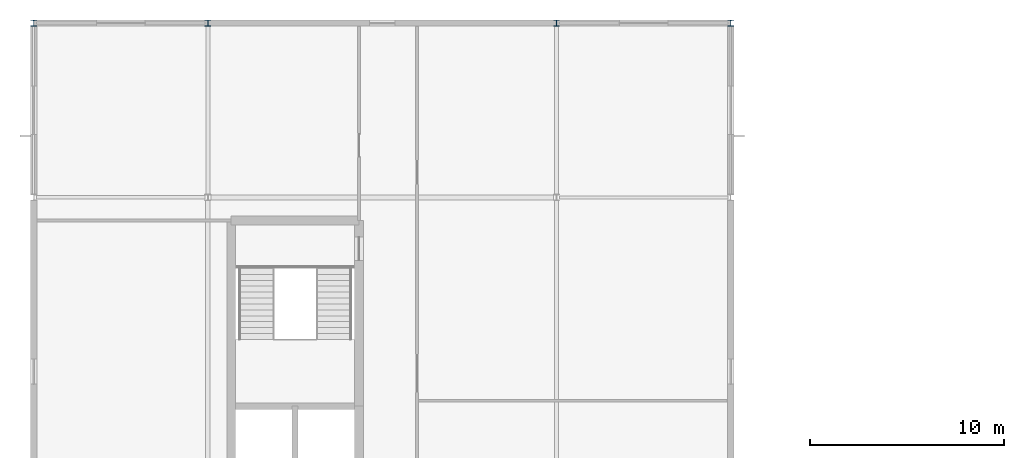
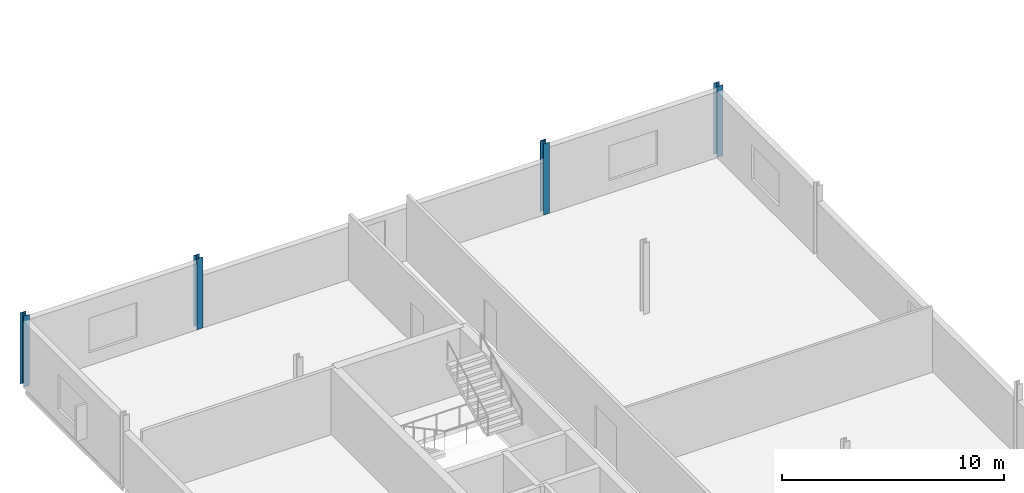
# One storey, part 5 of 31: 4 columns.
"""IFC4 building model written with IfcOpenShell, lengths in metres."""

from ifc_helpers import new_model, si_unit, direction, frame, origin, origin_2d, place, context, subcontext, project, spatial, i_section, extrude, material, material_profile, profile_set, type_object, element, save


model = new_model("IFC4")

# Units and contexts
model_context = context("Model", 3, precision=1e-05, world=origin(), true_north=direction((0.0, 1.0)))
body_context = subcontext(model_context, "Body", "Model", "MODEL_VIEW")
ifc_project = project(units=[si_unit("LENGTHUNIT", "METRE"), si_unit("AREAUNIT", "SQUARE_METRE"), si_unit("VOLUMEUNIT", "CUBIC_METRE"), si_unit("PLANEANGLEUNIT", "RADIAN"), si_unit("MASSUNIT", "GRAM", prefix="KILO")], contexts=[model_context])

# Site, building, storey
site_placement = place(None, origin())
site = spatial("IfcSite", under=ifc_project, at=site_placement, CompositionType="ELEMENT")
building_placement = place(site_placement, origin())
building = spatial("IfcBuilding", under=site, at=building_placement, Name="Kisiwana Market Hall", CompositionType="ELEMENT")
storey_placement = place(building_placement, frame((0.0, 0.0, 45.60009765625)))
storey = spatial("IfcBuildingStorey", under=building, at=storey_placement, Name="L10", CompositionType="ELEMENT", Elevation=45.60009765625)

# Columns
ifc_material_1 = material(Name="Steel S355", Category="steel")
ifc_material_profile_1 = material_profile(ifc_material_1, i_section(OverallWidth=0.300048828125, OverallDepth=0.320068359375, WebThickness=0.011474609375, FlangeThickness=0.0205078125, FilletRadius=0.027099609375, at=origin_2d()), Name="HEB 320")
ifc_profile_set_1 = profile_set([ifc_material_profile_1], Name="Steel S355")
column_type_1 = type_object("IfcColumnType", Name="COL-STL-HEB320", PredefinedType="COLUMN", material=ifc_profile_set_1)
for number, where, z_axis, x_axis, name in (
    (1, (0.0, 111.0, 0.0), (0.0, 0.0, 1.0), (1.0, 0.0, 0.0), "Column P/1 (L10) C-1272"),
    (2, (36.0, 111.0, 0.0), (0.0, 0.0, 1.0), (1.0, 0.0, 0.0), "Column P/5 (L10) C-1291"),
):
    element("IfcColumn", number, at=place(storey_placement, frame(where, z_axis=z_axis, x_axis=x_axis)), inside=storey, type_object=column_type_1, Name=name, PredefinedType="COLUMN", context=body_context, shape_type="SweptSolid", body=[
        extrude(i_section(OverallWidth=0.300048828125, OverallDepth=0.320068359375, WebThickness=0.011474609375, FlangeThickness=0.0205078125, FilletRadius=0.027099609375, at=origin_2d()), origin(), (0.0, 0.0, 1.0), 3.89990234375),
    ])
ifc_material_2 = material(Name="Steel S355", Category="steel")
ifc_material_profile_2 = material_profile(ifc_material_2, i_section(OverallWidth=0.307373046875, OverallDepth=0.314453125, WebThickness=0.011962890625, FlangeThickness=0.018798828125, FilletRadius=0.01513671875, at=origin_2d()), Name="UC 305x305x118")
ifc_profile_set_2 = profile_set([ifc_material_profile_2], Name="Steel S355")
column_type_2 = type_object("IfcColumnType", Name="COL-STL-UC118", PredefinedType="COLUMN", material=ifc_profile_set_2)
for number, where, z_axis, x_axis, name in (
    (3, (9.0, 111.0, 0.0), (0.0, 0.0, 1.0), (1.0, 0.0, 0.0), "Column P/2 (L10) C-1278"),
    (4, (27.0, 111.0, 0.0), (0.0, 0.0, 1.0), (1.0, 0.0, 0.0), "Column P/4 (L10) C-1285"),
):
    element("IfcColumn", number, at=place(storey_placement, frame(where, z_axis=z_axis, x_axis=x_axis)), inside=storey, type_object=column_type_2, Name=name, PredefinedType="COLUMN", context=body_context, shape_type="SweptSolid", body=[
        extrude(i_section(OverallWidth=0.307373046875, OverallDepth=0.314453125, WebThickness=0.011962890625, FlangeThickness=0.018798828125, FilletRadius=0.01513671875, at=origin_2d()), origin(), (0.0, 0.0, 1.0), 3.89990234375),
    ])

save(model, "model.ifc")
